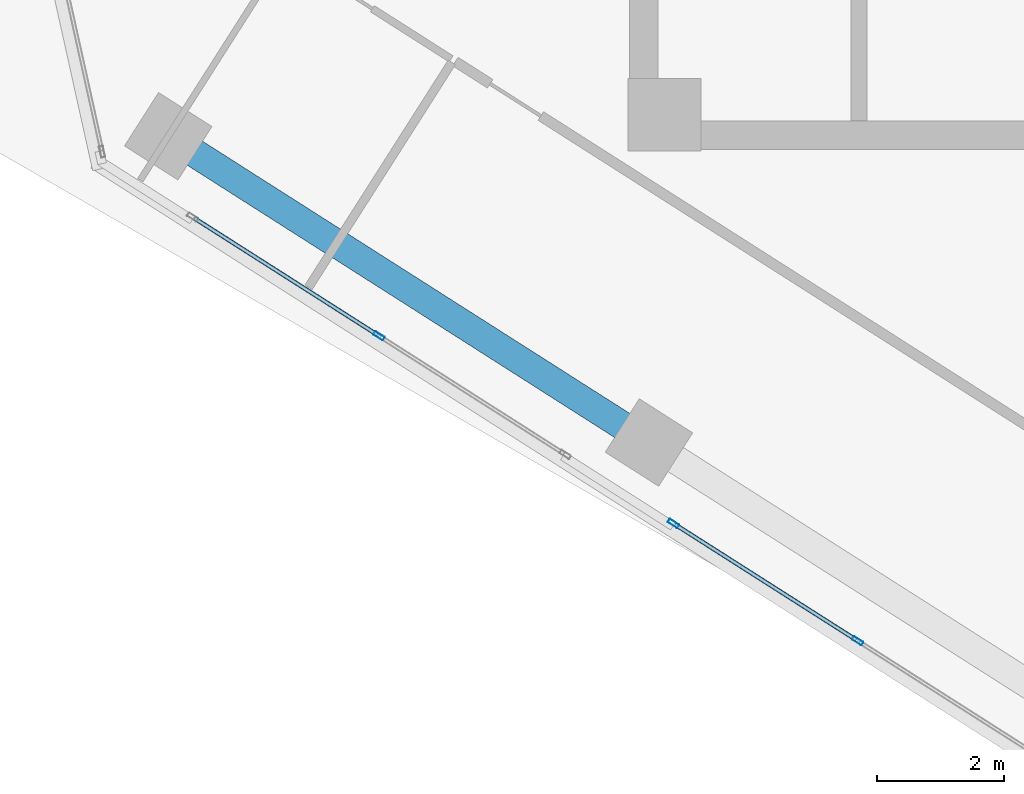
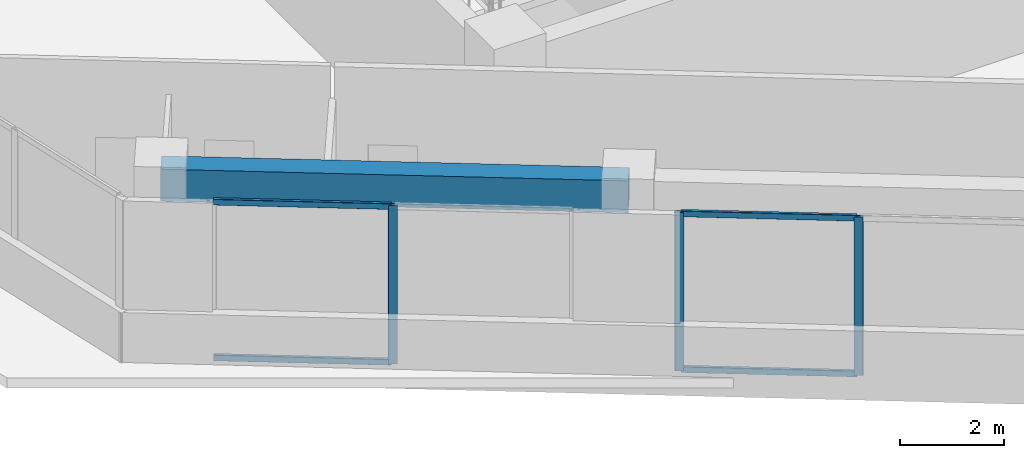
# One storey, part 2 of 23: 7 members, 1 beam, 2 elements without a shape of their own.
"""IFC4 building model written with IfcOpenShell, lengths in metres."""

from ifc_helpers import new_model, si_unit, direction, frame, origin, origin_2d, place, context, subcontext, project, spatial, rectangle, hollow_rectangle, extrude, source, transform, mapped, material, material_profile, profile_set, type_object, element, aggregate, save


model = new_model("IFC4")

# Units and contexts
model_context = context("Model", 3, precision=1e-05, world=origin(), true_north=direction((0.0, 1.0)))
body_context = subcontext(model_context, "Body", "Model", "MODEL_VIEW")
ifc_project = project(units=[si_unit("LENGTHUNIT", "METRE"), si_unit("AREAUNIT", "SQUARE_METRE"), si_unit("VOLUMEUNIT", "CUBIC_METRE"), si_unit("PLANEANGLEUNIT", "RADIAN"), si_unit("MASSUNIT", "GRAM", prefix="KILO")], contexts=[model_context])

# Site, building, storey
site_placement = place(None, origin())
site = spatial("IfcSite", under=ifc_project, at=site_placement, CompositionType="ELEMENT")
building_placement = place(site_placement, origin())
building = spatial("IfcBuilding", under=site, at=building_placement, Name="Torre Montelarca", CompositionType="ELEMENT")
storey_placement = place(building_placement, frame((0.0, 0.0, 187.60009765625)))
storey = spatial("IfcBuildingStorey", under=building, at=storey_placement, Name="L42", CompositionType="ELEMENT", Elevation=187.60009765625)

# Beam
ifc_material_1 = material(Name="Concrete C55/67", Category="concrete")
ifc_material_profile_1 = material_profile(ifc_material_1, rectangle(XDim=0.449951171875, YDim=0.75, at=origin_2d()), Name="RCB450X750", Category="concrete")
ifc_profile_set_1 = profile_set([ifc_material_profile_1], Name="Concrete C55/67")
beam_type = type_object("IfcBeamType", Name="BM-SP-RC750-EXT", PredefinedType="SPANDREL", material=ifc_profile_set_1)
shared_shape_1 = source(origin(), body_context, "Body", "SweptSolid", [
    extrude(rectangle(XDim=0.449951171875, YDim=0.75, at=origin_2d()), origin(), (0.0, 0.0, 1.0), 9.0),
])
beam_placement = place(storey_placement, frame((1.716064453125, 24.2099609375, 3.5849609375), z_axis=(0.843393307865, -0.5372966855, 0.0), x_axis=(0.5372966855, 0.843393307865, 0.0)))
element("IfcBeam", 1, at=beam_placement, inside=storey, type_object=beam_type, Name="L42 Grid Girder X 9.0-18.0 at Y=14.8", PredefinedType="SPANDREL", context=body_context, shape_type="MappedRepresentation", body=[
    mapped(shared_shape_1, transform((0.0, 0.0, 0.0), scale=1.0)),
])

# Curtain wall, member
ifc_material_2 = material(Name="Insulated low-E laminated glass", Category="glass")
curtain_wall_type = type_object("IfcCurtainWallType", Name="CW-SYS-Z2", PredefinedType="USERDEFINED", material=ifc_material_2)
curtain_wall_1_placement = place(storey_placement, origin())
curtain_wall_1 = element("IfcCurtainWall", 2, at=curtain_wall_1_placement, inside=storey, type_object=curtain_wall_type, Name="L42 Curtain Wall Run CW-T3-L42-E01-B1", ObjectType="UNITISED GLAZING", PredefinedType="USERDEFINED")
ifc_material_3 = material(Name="Anodised aluminium AA 6063-T6", Category="aluminium")
ifc_material_profile_2 = material_profile(ifc_material_3, hollow_rectangle(XDim=0.06494140625, YDim=0.179931640625, WallThickness=0.00390625, InnerFilletRadius=0.00390625, OuterFilletRadius=0.008056640625, at=origin_2d()), Name="ALU65X180X4", Category="aluminium")
ifc_profile_set_2 = profile_set([ifc_material_profile_2], Name="Anodised aluminium AA 6063-T6")
member_type_1 = type_object("IfcMemberType", Name="CWM-ALU180", PredefinedType="MULLION", material=ifc_profile_set_2)
shared_shape_2 = source(origin(), body_context, "Body", "SweptSolid", [
    extrude(hollow_rectangle(XDim=0.06494140625, YDim=0.179931640625, WallThickness=0.00390625, InnerFilletRadius=0.00390625, OuterFilletRadius=0.008056640625, at=origin_2d()), origin(), (0.0, 0.0, 1.0), 3.719970703125),
])
member_1_placement = place(storey_placement, frame((5.0439453125, 21.058349609375, 0.0), z_axis=(0.0, 0.0, 1.0), x_axis=(0.537305573022, 0.843387645866, 0.0)))
member_1 = element("IfcMember", 3, at=member_1_placement, type_object=member_type_1, Name="CW mullion 2", PredefinedType="MULLION", context=body_context, shape_type="MappedRepresentation", body=[
    mapped(shared_shape_2, transform((0.0, 0.0, 0.0), scale=1.0)),
])

# Curtain wall, members
curtain_wall_2_placement = place(storey_placement, origin())
curtain_wall_2 = element("IfcCurtainWall", 4, at=curtain_wall_2_placement, inside=storey, type_object=curtain_wall_type, Name="L42 Curtain Wall Run CW-T3-L42-E01-B2", ObjectType="UNITISED GLAZING", PredefinedType="USERDEFINED")
member_2_placement = place(storey_placement, frame((9.693115234375, 18.096435546875, 0.0), z_axis=(0.0, 0.0, 1.0), x_axis=(0.53730184226, 0.843390022649, 0.0)))
member_2 = element("IfcMember", 5, at=member_2_placement, type_object=member_type_1, Name="CW mullion 1", PredefinedType="MULLION", context=body_context, shape_type="MappedRepresentation", body=[
    mapped(shared_shape_2, transform((0.0, 0.0, 0.0), scale=1.0)),
])
member_3_placement = place(storey_placement, frame((12.602783203125, 16.24267578125, 0.0), z_axis=(0.0, 0.0, 1.0), x_axis=(0.53730184226, 0.843390022649, 0.0)))
member_3 = element("IfcMember", 6, at=member_3_placement, type_object=member_type_1, Name="CW mullion 2", PredefinedType="MULLION", context=body_context, shape_type="MappedRepresentation", body=[
    mapped(shared_shape_2, transform((0.0, 0.0, 0.0), scale=1.0)),
])

# Member
ifc_material_profile_3 = material_profile(ifc_material_3, hollow_rectangle(XDim=0.06494140625, YDim=0.139892578125, WallThickness=0.00390625, InnerFilletRadius=0.00390625, OuterFilletRadius=0.008056640625, at=origin_2d()), Name="ALU65X140X4", Category="aluminium")
ifc_profile_set_3 = profile_set([ifc_material_profile_3], Name="Anodised aluminium AA 6063-T6")
member_type_2 = type_object("IfcMemberType", Name="CWT-ALU140", PredefinedType="USERDEFINED", material=ifc_profile_set_3)
shared_shape_3 = source(origin(), body_context, "Body", "SweptSolid", [
    extrude(hollow_rectangle(XDim=0.06494140625, YDim=0.139892578125, WallThickness=0.00390625, InnerFilletRadius=0.00390625, OuterFilletRadius=0.008056640625, at=origin_2d()), origin(), (0.0, 0.0, 1.0), 3.422607421875),
])
member_4_placement = place(storey_placement, frame((2.130126953125, 22.914794921875, 0.032470703125), z_axis=(0.84336176072, -0.537346201768, 0.0), x_axis=(0.537346201768, 0.84336176072, 0.0)))
member_4 = element("IfcMember", 7, at=member_4_placement, type_object=member_type_2, Name="CW transom 1.1", ObjectType="TRANSOM", PredefinedType="USERDEFINED", context=body_context, shape_type="MappedRepresentation", body=[
    mapped(shared_shape_3, transform((0.0, 0.0, 0.0), scale=1.0)),
])

member_5_placement = place(storey_placement, frame((2.130126953125, 22.914794921875, 3.6875), z_axis=(0.84336176072, -0.537346201768, 0.0), x_axis=(0.537346201768, 0.84336176072, 0.0)))
member_5 = element("IfcMember", 8, at=member_5_placement, type_object=member_type_2, Name="CW transom 1.2", ObjectType="TRANSOM", PredefinedType="USERDEFINED", context=body_context, shape_type="MappedRepresentation", body=[
    mapped(shared_shape_3, transform((0.0, 0.0, 0.0), scale=1.0)),
])

aggregate(curtain_wall_1, [member_1, member_4, member_5])

shared_shape_4 = source(origin(), body_context, "Body", "SweptSolid", [
    extrude(hollow_rectangle(XDim=0.06494140625, YDim=0.139892578125, WallThickness=0.00390625, InnerFilletRadius=0.00390625, OuterFilletRadius=0.008056640625, at=origin_2d()), origin(), (0.0, 0.0, 1.0), 3.385009765625),
])
member_6_placement = place(storey_placement, frame((9.720458984375, 18.078857421875, 0.032470703125), z_axis=(0.843420847495, -0.537253454164, 0.0), x_axis=(0.537253454164, 0.843420847495, 0.0)))
member_6 = element("IfcMember", 9, at=member_6_placement, type_object=member_type_2, Name="CW transom 1.1", ObjectType="TRANSOM", PredefinedType="USERDEFINED", context=body_context, shape_type="MappedRepresentation", body=[
    mapped(shared_shape_4, transform((0.0, 0.0, 0.0), scale=1.0)),
])

member_7_placement = place(storey_placement, frame((9.720458984375, 18.078857421875, 3.6875), z_axis=(0.843420847495, -0.537253454164, 0.0), x_axis=(0.537253454164, 0.843420847495, 0.0)))
member_7 = element("IfcMember", 10, at=member_7_placement, type_object=member_type_2, Name="CW transom 1.2", ObjectType="TRANSOM", PredefinedType="USERDEFINED", context=body_context, shape_type="MappedRepresentation", body=[
    mapped(shared_shape_4, transform((0.0, 0.0, 0.0), scale=1.0)),
])

aggregate(curtain_wall_2, [member_2, member_3, member_6, member_7])

save(model, "model.ifc")
